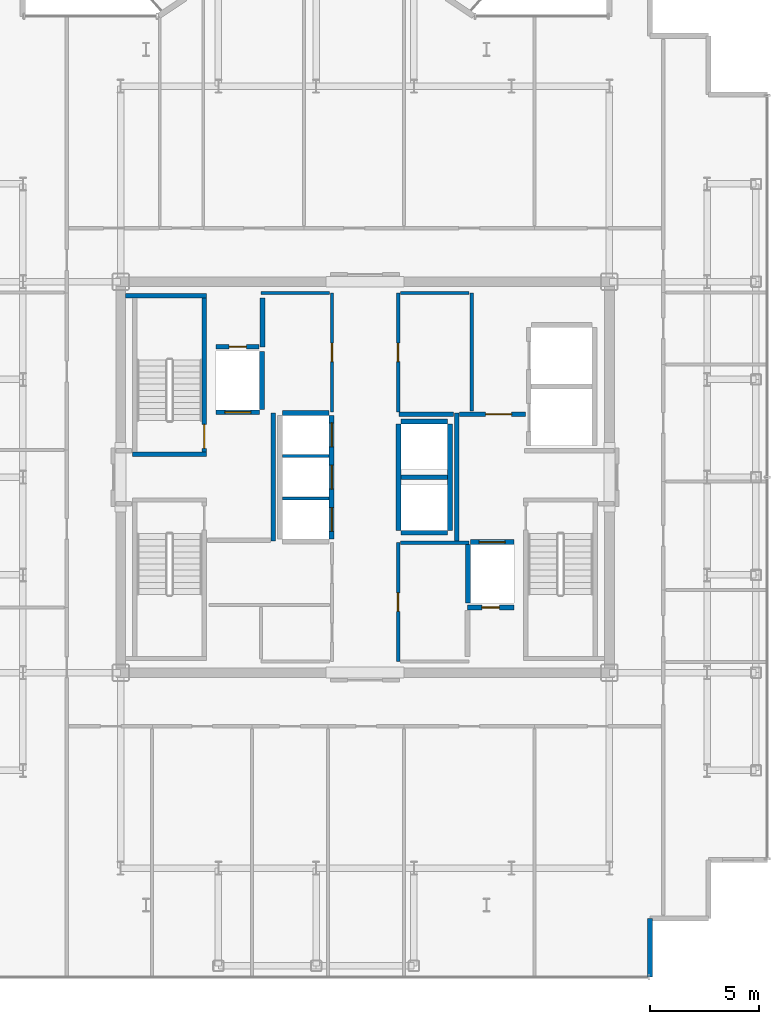
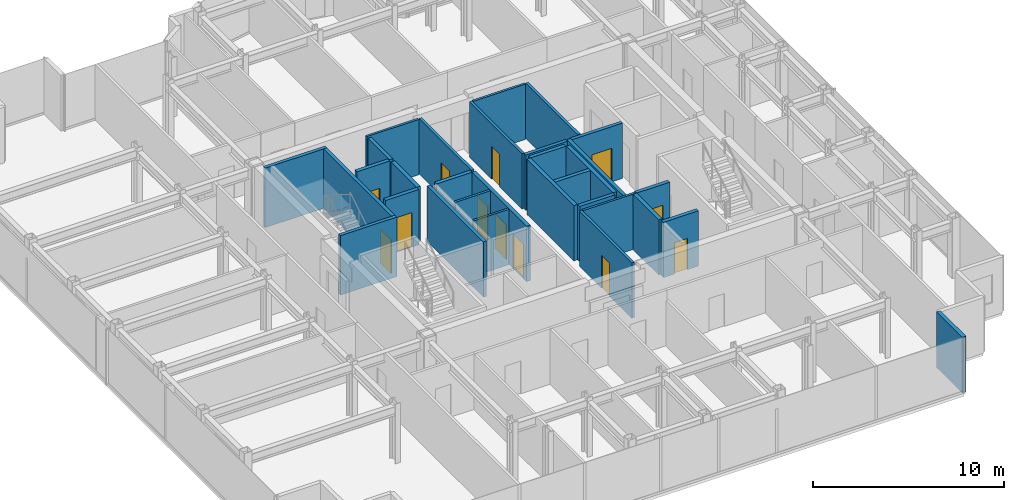
# One storey, part 14 of 18: 31 walls, 12 doors, 12 openings.
"""IFC4 building model written with IfcOpenShell, lengths in metres."""

from ifc_helpers import new_model, si_unit, direction, frame, frame_2d, origin, place, context, subcontext, project, spatial, rectangle, extrude, source, transform, mapped, material, layer, layer_set, type_object, element, fill, save


model = new_model("IFC4")

# Units and contexts
model_context = context("Model", 3, precision=1e-05, world=origin(), true_north=direction((0.0, 1.0)))
body_context = subcontext(model_context, "Body", "Model", "MODEL_VIEW")
ifc_project = project(units=[si_unit("LENGTHUNIT", "METRE"), si_unit("AREAUNIT", "SQUARE_METRE"), si_unit("VOLUMEUNIT", "CUBIC_METRE"), si_unit("PLANEANGLEUNIT", "RADIAN"), si_unit("MASSUNIT", "GRAM", prefix="KILO")], contexts=[model_context])

# Site, building, storey
site_placement = place(None, origin())
site = spatial("IfcSite", under=ifc_project, at=site_placement, CompositionType="ELEMENT")
building_placement = place(site_placement, origin())
building = spatial("IfcBuilding", under=site, at=building_placement, Name="Nefas-Gora Pilgrimage Tower", CompositionType="ELEMENT")
storey_placement = place(building_placement, frame((0.0, 0.0, 291.199951171875)))
storey = spatial("IfcBuildingStorey", under=building, at=storey_placement, Name="L73", CompositionType="ELEMENT", Elevation=291.199951171875)

# Walls
ifc_material_1 = material(Name="Precast concrete C45/55", Category="concrete")
ifc_layer_1 = layer(ifc_material_1, 0.239990234375)
ifc_layer_set_1 = layer_set([ifc_layer_1], Name="Precast concrete C45/55")
wall_type_1 = type_object("IfcWallType", Name="EW-SERR-240", PredefinedType="SHEAR", material=ifc_layer_set_1)
shared_shape_1 = source(origin(), body_context, "Body", "SweptSolid", [
    extrude(rectangle(XDim=2.699951171875, YDim=0.239990234375, at=frame_2d((1.35009765625, 0.0))), origin(), (0.0, 0.0, 1.0), 3.550048828125),
])
wall_1_placement = place(storey_placement, frame((13.1201171875, -23.02001953125, 0.0), z_axis=(0.0, 0.0, 1.0), x_axis=(0.0, 1.0, 0.0)))
element("IfcWall", 1, at=wall_1_placement, inside=storey, type_object=wall_type_1, Name="L73 Serrated Corner Shear Pier Wall 25", PredefinedType="SHEAR", context=body_context, shape_type="MappedRepresentation", body=[
    mapped(shared_shape_1, transform((0.0, 0.0, 0.0), x_axis=(1.0, 0.0, 0.0), y_axis=(0.0, 1.0, 0.0), z_axis=(0.0, 0.0, 1.0), scale=1.0)),
])
ifc_material_2 = material(Name="Concrete C45/55", Category="concrete")
ifc_layer_2 = layer(ifc_material_2, 0.199951171875)
ifc_layer_set_2 = layer_set([ifc_layer_2], Name="Concrete C45/55")
wall_type_2 = type_object("IfcWallType", Name="IW-STAIR-200", PredefinedType="SOLIDWALL", material=ifc_layer_set_2)
shared_shape_2 = source(origin(), body_context, "Body", "SweptSolid", [
    extrude(rectangle(XDim=3.39990234375, YDim=0.199951171875, at=frame_2d((1.699951171875, 0.0))), origin(), (0.0, 0.0, 1.0), 3.800048828125),
])
wall_2_placement = place(storey_placement, frame((-7.300048828125, 1.050048828125, 0.0), z_axis=(0.0, 0.0, 1.0), x_axis=(-1.0, 0.0, 0.0)))
element("IfcWall", 2, at=wall_2_placement, inside=storey, type_object=wall_type_2, Name="L73 Stairwell Shear Wall ST-01-near", PredefinedType="SOLIDWALL", context=body_context, shape_type="MappedRepresentation", body=[
    mapped(shared_shape_2, transform((0.0, 0.0, 0.0), x_axis=(1.0, 0.0, 0.0), y_axis=(0.0, 1.0, 0.0), z_axis=(0.0, 0.0, 1.0), scale=1.0)),
])

# Wall, opening, door
shared_shape_3 = source(origin(), body_context, "Body", "SweptSolid", [
    extrude(rectangle(XDim=7.10009765625, YDim=0.199951171875, at=frame_2d((3.550048828125, 0.0))), origin(), (0.0, 0.0, 1.0), 3.800048828125),
])
wall_3_placement = place(storey_placement, frame((-7.39990234375, 1.14990234375, 0.0), z_axis=(0.0, 0.0, 1.0), x_axis=(0.0, 1.0, 0.0)))
wall_3 = element("IfcWall", 3, at=wall_3_placement, inside=storey, type_object=wall_type_2, Name="L73 Stairwell Shear Wall ST-01-left", PredefinedType="SOLIDWALL", context=body_context, shape_type="MappedRepresentation", body=[
    mapped(shared_shape_3, transform((0.0, 0.0, 0.0), x_axis=(1.0, 0.0, 0.0), y_axis=(0.0, 1.0, 0.0), z_axis=(0.0, 0.0, 1.0), scale=1.0)),
])
opening_1_placement = place(wall_3_placement, frame((0.179931640625, 0.0, 0.0)))
opening_1 = element("IfcOpeningElement", 4, at=opening_1_placement, cuts=wall_3, Name="Opening ID-ST1", PredefinedType="OPENING", context=body_context, shape_type="SweptSolid", body=[
    extrude(rectangle(XDim=1.10009765625, YDim=2.14990234375, at=frame_2d((0.550048828125, 1.074951171875))), frame((0.0, 0.10986328125, 0.0), z_axis=(0.0, -1.0, 0.0), x_axis=(1.0, 0.0, 0.0)), (0.0, 0.0, 1.0), 0.219970703125),
])
ifc_material_3 = material(Name="Painted galvanised steel fire stair door", Category="steel")
door_type_1 = type_object("IfcDoorType", Name="DR-INT-STAIR-1100", OperationType="NOTDEFINED", PredefinedType="DOOR", material=ifc_material_3)
shared_shape_4 = source(origin(), body_context, "Body", "SweptSolid", [
    extrude(rectangle(XDim=1.10009765625, YDim=2.14990234375, at=frame_2d((0.550048828125, 1.074951171875))), frame((0.0, 0.02490234375, 0.0), z_axis=(0.0, -1.0, 0.0), x_axis=(1.0, 0.0, 0.0)), (0.0, 0.0, 1.0), 0.050048828125),
])
door_1_placement = place(opening_1_placement, origin())
door_1 = element("IfcDoor", 5, at=door_1_placement, inside=storey, type_object=door_type_1, Name="L73 Protected Exit Stair Door ST-01", OperationType="SINGLE_SWING_LEFT", OverallHeight=2.14990234375, OverallWidth=1.10009765625, PredefinedType="DOOR", context=body_context, shape_type="MappedRepresentation", body=[
    mapped(shared_shape_4, transform((0.0, 0.0, 0.0), x_axis=(1.0, 0.0, 0.0), y_axis=(0.0, 1.0, 0.0), z_axis=(0.0, 0.0, 1.0), scale=1.0)),
])
fill(opening_1, door_1)

# Wall
shared_shape_5 = source(origin(), body_context, "Body", "SweptSolid", [
    extrude(rectangle(XDim=3.72998046875, YDim=0.199951171875, at=frame_2d((1.864990234375, 0.0))), origin(), (0.0, 0.0, 1.0), 3.800048828125),
])
wall_4_placement = place(storey_placement, frame((-7.300048828125, 8.35009765625, 0.0), z_axis=(0.0, 0.0, 1.0), x_axis=(-1.0, 0.0, 0.0)))
element("IfcWall", 6, at=wall_4_placement, inside=storey, type_object=wall_type_2, Name="L73 Stairwell Shear Wall ST-01-far", PredefinedType="SOLIDWALL", context=body_context, shape_type="MappedRepresentation", body=[
    mapped(shared_shape_5, transform((0.0, 0.0, 0.0), x_axis=(1.0, 0.0, 0.0), y_axis=(0.0, 1.0, 0.0), z_axis=(0.0, 0.0, 1.0), scale=1.0)),
])

# Wall, opening, door
ifc_material_4 = material(Name="Concrete C40/50", Category="concrete")
ifc_layer_3 = layer(ifc_material_4, 0.219970703125)
ifc_layer_set_3 = layer_set([ifc_layer_3], Name="Concrete C40/50")
wall_type_3 = type_object("IfcWallType", Name="IW-SHAFT-220", PredefinedType="SOLIDWALL", material=ifc_layer_set_3)
shared_shape_6 = source(origin(), body_context, "Body", "SweptSolid", [
    extrude(rectangle(XDim=2.0, YDim=0.219970703125, at=frame_2d((1.0, 0.0))), origin(), (0.0, 0.0, 1.0), 3.53515625),
])
wall_5_placement = place(storey_placement, frame((-6.85009765625, 2.989990234375, 0.0), z_axis=(0.0, 0.0, 1.0), x_axis=(1.0, 0.0, 0.0)))
wall_5 = element("IfcWall", 7, at=wall_5_placement, inside=storey, type_object=wall_type_3, Name="L73 Hoistway Wall FFL-01-S", PredefinedType="SOLIDWALL", context=body_context, shape_type="MappedRepresentation", body=[
    mapped(shared_shape_6, transform((0.0, 0.0, 0.0), x_axis=(1.0, 0.0, 0.0), y_axis=(0.0, 1.0, 0.0), z_axis=(0.0, 0.0, 1.0), scale=1.0)),
])
opening_2_placement = place(wall_5_placement, frame((0.39990234375, 0.0, 0.0)))
opening_2 = element("IfcOpeningElement", 8, at=opening_2_placement, cuts=wall_5, Name="Opening LD-FF", PredefinedType="OPENING", context=body_context, shape_type="SweptSolid", body=[
    extrude(rectangle(XDim=1.199951171875, YDim=2.199951171875, at=frame_2d((0.60009765625, 1.10009765625))), frame((0.0, 0.119873046875, 0.0), z_axis=(0.0, -1.0, 0.0), x_axis=(1.0, 0.0, 0.0)), (0.0, 0.0, 1.0), 0.239990234375),
])
ifc_material_5 = material(Name="Fire-service sliding lift landing door")
door_type_2 = type_object("IfcDoorType", Name="DR-LIFT-FSAE-1200", OperationType="SLIDING_TO_LEFT", PredefinedType="DOOR", material=ifc_material_5)
shared_shape_7 = source(origin(), body_context, "Body", "SweptSolid", [
    extrude(rectangle(XDim=1.199951171875, YDim=2.199951171875, at=frame_2d((0.60009765625, 1.10009765625))), frame((0.0, 0.02490234375, 0.0), z_axis=(0.0, -1.0, 0.0), x_axis=(1.0, 0.0, 0.0)), (0.0, 0.0, 1.0), 0.050048828125),
])
door_2_placement = place(opening_2_placement, origin())
door_2 = element("IfcDoor", 9, at=door_2_placement, inside=storey, type_object=door_type_2, Name="L73 Sliding Lift Landing Door FFL-01", OperationType="SLIDING_TO_LEFT", OverallHeight=2.199951171875, OverallWidth=1.199951171875, PredefinedType="DOOR", context=body_context, shape_type="MappedRepresentation", body=[
    mapped(shared_shape_7, transform((0.0, 0.0, 0.0), x_axis=(1.0, 0.0, 0.0), y_axis=(0.0, 1.0, 0.0), z_axis=(0.0, 0.0, 1.0), scale=1.0)),
])
fill(opening_2, door_2)

wall_6_placement = place(storey_placement, frame((6.85009765625, -2.989990234375, 0.0), z_axis=(0.0, 0.0, 1.0), x_axis=(-1.0, 0.0, 0.0)))
wall_6 = element("IfcWall", 10, at=wall_6_placement, inside=storey, type_object=wall_type_3, Name="L73 Hoistway Wall FFL-02-N", PredefinedType="SOLIDWALL", context=body_context, shape_type="MappedRepresentation", body=[
    mapped(shared_shape_6, transform((0.0, 0.0, 0.0), x_axis=(1.0, 0.0, 0.0), y_axis=(0.0, 1.0, 0.0), z_axis=(0.0, 0.0, 1.0), scale=1.0)),
])
opening_3_placement = place(wall_6_placement, frame((0.39990234375, 0.0, 0.0)))
opening_3 = element("IfcOpeningElement", 11, at=opening_3_placement, cuts=wall_6, Name="Opening LD-FF", PredefinedType="OPENING", context=body_context, shape_type="SweptSolid", body=[
    extrude(rectangle(XDim=1.199951171875, YDim=2.199951171875, at=frame_2d((0.60009765625, 1.10009765625))), frame((0.0, 0.119873046875, 0.0), z_axis=(0.0, -1.0, 0.0), x_axis=(1.0, 0.0, 0.0)), (0.0, 0.0, 1.0), 0.239990234375),
])
door_3_placement = place(opening_3_placement, origin())
door_3 = element("IfcDoor", 12, at=door_3_placement, inside=storey, type_object=door_type_2, Name="L73 Sliding Lift Landing Door FFL-02", OperationType="SLIDING_TO_LEFT", OverallHeight=2.199951171875, OverallWidth=1.199951171875, PredefinedType="DOOR", context=body_context, shape_type="MappedRepresentation", body=[
    mapped(shared_shape_7, transform((0.0, 0.0, 0.0), x_axis=(1.0, 0.0, 0.0), y_axis=(0.0, 1.0, 0.0), z_axis=(0.0, 0.0, 1.0), scale=1.0)),
])
fill(opening_3, door_3)

# Walls
shared_shape_8 = source(origin(), body_context, "Body", "SweptSolid", [
    extrude(rectangle(XDim=2.679931640625, YDim=0.219970703125, at=frame_2d((1.33984375, 0.0))), origin(), (0.0, 0.0, 1.0), 3.53515625),
])
for number, where, z_axis, x_axis, name in (
    (13, (-4.739990234375, 3.110107421875, 0.0), (0.0, 0.0, 1.0), (0.0, 1.0, 0.0), "L73 Hoistway Wall FFL-01-E"),
    (14, (4.739990234375, -3.110107421875, 0.0), (0.0, 0.0, 1.0), (0.0, -1.0, 0.0), "L73 Hoistway Wall FFL-02-W"),
):
    element("IfcWall", number, at=place(storey_placement, frame(where, z_axis=z_axis, x_axis=x_axis)), inside=storey, type_object=wall_type_3, Name=name, PredefinedType="SOLIDWALL", context=body_context, shape_type="MappedRepresentation", body=[
        mapped(shared_shape_8, transform((0.0, 0.0, 0.0), x_axis=(1.0, 0.0, 0.0), y_axis=(0.0, 1.0, 0.0), z_axis=(0.0, 0.0, 1.0), scale=1.0)),
    ])

# Wall, openings, doors
shared_shape_9 = source(origin(), body_context, "Body", "SweptSolid", [
    extrude(rectangle(XDim=5.7001953125, YDim=0.219970703125, at=frame_2d((2.85009765625, 0.0))), origin(), (0.0, 0.0, 1.0), 3.53515625),
])
wall_7_placement = place(storey_placement, frame((-1.5400390625, -2.85009765625, 0.0), z_axis=(0.0, 0.0, 1.0), x_axis=(0.0, 1.0, 0.0)))
wall_7 = element("IfcWall", 15, at=wall_7_placement, inside=storey, type_object=wall_type_3, Name="L73 Hoistway Wall PL3-01-03-E", PredefinedType="SOLIDWALL", context=body_context, shape_type="MappedRepresentation", body=[
    mapped(shared_shape_9, transform((0.0, 0.0, 0.0), x_axis=(1.0, 0.0, 0.0), y_axis=(0.0, 1.0, 0.0), z_axis=(0.0, 0.0, 1.0), scale=1.0)),
])
opening_4_placement = place(wall_7_placement, frame((0.35009765625, 0.0, 0.0)))
opening_4 = element("IfcOpeningElement", 16, at=opening_4_placement, cuts=wall_7, Name="Opening LD-01", PredefinedType="OPENING", context=body_context, shape_type="SweptSolid", body=[
    extrude(rectangle(XDim=1.10009765625, YDim=2.199951171875, at=frame_2d((0.550048828125, 1.10009765625))), frame((0.0, 0.119873046875, 0.0), z_axis=(0.0, -1.0, 0.0), x_axis=(1.0, 0.0, 0.0)), (0.0, 0.0, 1.0), 0.239990234375),
])
opening_5_placement = place(wall_7_placement, frame((2.300048828125, 0.0, 0.0)))
opening_5 = element("IfcOpeningElement", 17, at=opening_5_placement, cuts=wall_7, Name="Opening LD-01", PredefinedType="OPENING", context=body_context, shape_type="SweptSolid", body=[
    extrude(rectangle(XDim=1.10009765625, YDim=2.199951171875, at=frame_2d((0.550048828125, 1.10009765625))), frame((0.0, 0.119873046875, 0.0), z_axis=(0.0, -1.0, 0.0), x_axis=(1.0, 0.0, 0.0)), (0.0, 0.0, 1.0), 0.239990234375),
])
opening_6_placement = place(wall_7_placement, frame((4.25, 0.0, 0.0)))
opening_6 = element("IfcOpeningElement", 18, at=opening_6_placement, cuts=wall_7, Name="Opening LD-01", PredefinedType="OPENING", context=body_context, shape_type="SweptSolid", body=[
    extrude(rectangle(XDim=1.10009765625, YDim=2.199951171875, at=frame_2d((0.550048828125, 1.10009765625))), frame((0.0, 0.119873046875, 0.0), z_axis=(0.0, -1.0, 0.0), x_axis=(1.0, 0.0, 0.0)), (0.0, 0.0, 1.0), 0.239990234375),
])
ifc_material_6 = material(Name="Brushed stainless sliding lift landing door")
door_type_3 = type_object("IfcDoorType", Name="DR-LIFT-PASS-1100", OperationType="DOUBLE_DOOR_SLIDING", PredefinedType="DOOR", material=ifc_material_6)
shared_shape_10 = source(origin(), body_context, "Body", "SweptSolid", [
    extrude(rectangle(XDim=1.10009765625, YDim=2.199951171875, at=frame_2d((0.550048828125, 1.10009765625))), frame((0.0, 0.02490234375, 0.0), z_axis=(0.0, -1.0, 0.0), x_axis=(1.0, 0.0, 0.0)), (0.0, 0.0, 1.0), 0.050048828125),
])
door_4_placement = place(opening_4_placement, origin())
door_4 = element("IfcDoor", 19, at=door_4_placement, inside=storey, type_object=door_type_3, Name="L73 Sliding Lift Landing Door PL3-01", OperationType="DOUBLE_DOOR_SLIDING", OverallHeight=2.199951171875, OverallWidth=1.10009765625, PredefinedType="DOOR", context=body_context, shape_type="MappedRepresentation", body=[
    mapped(shared_shape_10, transform((0.0, 0.0, 0.0), x_axis=(1.0, 0.0, 0.0), y_axis=(0.0, 1.0, 0.0), z_axis=(0.0, 0.0, 1.0), scale=1.0)),
])
fill(opening_4, door_4)
door_5_placement = place(opening_5_placement, origin())
door_5 = element("IfcDoor", 20, at=door_5_placement, inside=storey, type_object=door_type_3, Name="L73 Sliding Lift Landing Door PL3-02", OperationType="DOUBLE_DOOR_SLIDING", OverallHeight=2.199951171875, OverallWidth=1.10009765625, PredefinedType="DOOR", context=body_context, shape_type="MappedRepresentation", body=[
    mapped(shared_shape_10, transform((0.0, 0.0, 0.0), x_axis=(1.0, 0.0, 0.0), y_axis=(0.0, 1.0, 0.0), z_axis=(0.0, 0.0, 1.0), scale=1.0)),
])
fill(opening_5, door_5)
door_6_placement = place(opening_6_placement, origin())
door_6 = element("IfcDoor", 21, at=door_6_placement, inside=storey, type_object=door_type_3, Name="L73 Sliding Lift Landing Door PL3-03", OperationType="DOUBLE_DOOR_SLIDING", OverallHeight=2.199951171875, OverallWidth=1.10009765625, PredefinedType="DOOR", context=body_context, shape_type="MappedRepresentation", body=[
    mapped(shared_shape_10, transform((0.0, 0.0, 0.0), x_axis=(1.0, 0.0, 0.0), y_axis=(0.0, 1.0, 0.0), z_axis=(0.0, 0.0, 1.0), scale=1.0)),
])
fill(opening_6, door_6)

# Walls
shared_shape_11 = source(origin(), body_context, "Body", "SweptSolid", [
    extrude(rectangle(XDim=2.130126953125, YDim=0.219970703125, at=frame_2d((1.06494140625, 0.0))), origin(), (0.0, 0.0, 1.0), 3.53515625),
])
for number, where, z_axis, x_axis, name in (
    (22, (-1.659912109375, 2.9599609375, 0.0), (0.0, 0.0, 1.0), (-1.0, 0.0, 0.0), "L73 Hoistway Wall PL3-03-N"),
    (23, (1.659912109375, -2.56005859375, 0.0), (0.0, 0.0, 1.0), (1.0, 0.0, 0.0), "L73 Hoistway Wall OBS-01-S"),
    (24, (1.659912109375, 0.0, 0.0), (0.0, 0.0, 1.0), (1.0, 0.0, 0.0), "L73 Hoistway Wall OBS-01-02-DIV"),
    (25, (3.7900390625, 2.56005859375, 0.0), (0.0, 0.0, 1.0), (-1.0, 0.0, 0.0), "L73 Hoistway Wall OBS-02-N"),
):
    element("IfcWall", number, at=place(storey_placement, frame(where, z_axis=z_axis, x_axis=x_axis)), inside=storey, type_object=wall_type_3, Name=name, PredefinedType="SOLIDWALL", context=body_context, shape_type="MappedRepresentation", body=[
        mapped(shared_shape_11, transform((0.0, 0.0, 0.0), x_axis=(1.0, 0.0, 0.0), y_axis=(0.0, 1.0, 0.0), z_axis=(0.0, 0.0, 1.0), scale=1.0)),
    ])

# Wall, opening, door
wall_8_placement = place(storey_placement, frame((4.719970703125, -6.0, 0.0), z_axis=(0.0, 0.0, 1.0), x_axis=(1.0, 0.0, 0.0)))
wall_8 = element("IfcWall", 26, at=wall_8_placement, inside=storey, type_object=wall_type_3, Name="L73 Riser Shaft Wall 3", PredefinedType="SOLIDWALL", context=body_context, shape_type="MappedRepresentation", body=[
    mapped(shared_shape_11, transform((0.0, 0.0, 0.0), x_axis=(1.0, 0.0, 0.0), y_axis=(0.0, 1.0, 0.0), z_axis=(0.0, 0.0, 1.0), scale=1.0)),
])
opening_7_placement = place(wall_8_placement, frame((0.6650390625, 0.0, 0.0)))
opening_7 = element("IfcOpeningElement", 27, at=opening_7_placement, cuts=wall_8, Name="Opening ID-TR1", PredefinedType="OPENING", context=body_context, shape_type="SweptSolid", body=[
    extrude(rectangle(XDim=0.800048828125, YDim=2.0, at=frame_2d((0.39990234375, 1.0))), frame((0.0, 0.119873046875, 0.0), z_axis=(0.0, -1.0, 0.0), x_axis=(1.0, 0.0, 0.0)), (0.0, 0.0, 1.0), 0.239990234375),
])
ifc_material_7 = material(Name="Riser maintenance fire access door")
door_type_4 = type_object("IfcDoorType", Name="DR-INT-TRAP-800", OperationType="NOTDEFINED", PredefinedType="TRAPDOOR", material=ifc_material_7)
shared_shape_12 = source(origin(), body_context, "Body", "SweptSolid", [
    extrude(rectangle(XDim=0.800048828125, YDim=2.0, at=frame_2d((0.39990234375, 1.0))), frame((0.0, 0.02490234375, 0.0), z_axis=(0.0, -1.0, 0.0), x_axis=(1.0, 0.0, 0.0)), (0.0, 0.0, 1.0), 0.050048828125),
])
door_7_placement = place(opening_7_placement, origin())
door_7 = element("IfcDoor", 28, at=door_7_placement, inside=storey, type_object=door_type_4, Name="L73 Riser Shaft Door 2", OperationType="SINGLE_SWING_RIGHT", OverallHeight=2.0, OverallWidth=0.800048828125, PredefinedType="TRAPDOOR", context=body_context, shape_type="MappedRepresentation", body=[
    mapped(shared_shape_12, transform((0.0, 0.0, 0.0), x_axis=(1.0, 0.0, 0.0), y_axis=(0.0, 1.0, 0.0), z_axis=(0.0, 0.0, 1.0), scale=1.0)),
])
fill(opening_7, door_7)

# Walls
ifc_material_8 = material(Name="Gypsum twin-stud partition")
ifc_layer_4 = layer(ifc_material_8, 0.139892578125)
ifc_layer_set_4 = layer_set([ifc_layer_4], Name="Gypsum twin-stud partition")
wall_type_4 = type_object("IfcWallType", Name="IW-UNIT-140", PredefinedType="PARTITIONING", material=ifc_layer_set_4)
shared_shape_13 = source(origin(), body_context, "Body", "SweptSolid", [
    extrude(rectangle(XDim=2.130126953125, YDim=0.139892578125, at=frame_2d((1.06494140625, 0.0))), origin(), (0.0, 0.0, 1.0), 3.53515625),
])
for number, where, z_axis, x_axis, name in (
    (29, (-3.7900390625, -0.97509765625, 0.0), (0.0, 0.0, 1.0), (1.0, 0.0, 0.0), "L73 Hoistway Wall PL3-01-02-DIV"),
    (30, (-3.7900390625, 0.97509765625, 0.0), (0.0, 0.0, 1.0), (1.0, 0.0, 0.0), "L73 Hoistway Wall PL3-02-03-DIV"),
):
    element("IfcWall", number, at=place(storey_placement, frame(where, z_axis=z_axis, x_axis=x_axis)), inside=storey, type_object=wall_type_4, Name=name, PredefinedType="PARTITIONING", context=body_context, shape_type="MappedRepresentation", body=[
        mapped(shared_shape_13, transform((0.0, 0.0, 0.0), x_axis=(1.0, 0.0, 0.0), y_axis=(0.0, 1.0, 0.0), z_axis=(0.0, 0.0, 1.0), scale=1.0)),
    ])
shared_shape_14 = source(origin(), body_context, "Body", "SweptSolid", [
    extrude(rectangle(XDim=4.89990234375, YDim=0.219970703125, at=frame_2d((2.449951171875, 0.0))), origin(), (0.0, 0.0, 1.0), 3.53515625),
])
for number, where, z_axis, x_axis, name in (
    (31, (1.5400390625, 2.449951171875, 0.0), (0.0, 0.0, 1.0), (0.0, -1.0, 0.0), "L73 Hoistway Wall OBS-01-02-W"),
    (32, (3.909912109375, -2.449951171875, 0.0), (0.0, 0.0, 1.0), (0.0, 1.0, 0.0), "L73 Hoistway Wall OBS-01-02-E"),
):
    element("IfcWall", number, at=place(storey_placement, frame(where, z_axis=z_axis, x_axis=x_axis)), inside=storey, type_object=wall_type_3, Name=name, PredefinedType="SOLIDWALL", context=body_context, shape_type="MappedRepresentation", body=[
        mapped(shared_shape_14, transform((0.0, 0.0, 0.0), x_axis=(1.0, 0.0, 0.0), y_axis=(0.0, 1.0, 0.0), z_axis=(0.0, 0.0, 1.0), scale=1.0)),
    ])
ifc_material_9 = material(Name="Gypsum fire-rated shaftwall")
ifc_layer_5 = layer(ifc_material_9, 0.199951171875)
ifc_layer_set_5 = layer_set([ifc_layer_5], Name="Gypsum fire-rated shaftwall")
wall_type_5 = type_object("IfcWallType", Name="IW-FFLOB-200", PredefinedType="PARTITIONING", material=ifc_layer_set_5)
shared_shape_15 = source(origin(), body_context, "Body", "SweptSolid", [
    extrude(rectangle(XDim=5.89990234375, YDim=0.199951171875, at=frame_2d((2.949951171875, 0.0))), origin(), (0.0, 0.0, 1.0), 3.53515625),
])
for number, where, z_axis, x_axis, name in (
    (33, (-4.219970703125, -2.949951171875, 0.0), (0.0, 0.0, 1.0), (0.0, 1.0, 0.0), "L73 FF Lobby West Inner Wall Wall 6"),
    (34, (4.219970703125, -2.949951171875, 0.0), (0.0, 0.0, 1.0), (0.0, 1.0, 0.0), "L73 FF Lobby East Inner Wall Wall 11"),
):
    element("IfcWall", number, at=place(storey_placement, frame(where, z_axis=z_axis, x_axis=x_axis)), inside=storey, type_object=wall_type_5, Name=name, PredefinedType="PARTITIONING", context=body_context, shape_type="MappedRepresentation", body=[
        mapped(shared_shape_15, transform((0.0, 0.0, 0.0), x_axis=(1.0, 0.0, 0.0), y_axis=(0.0, 1.0, 0.0), z_axis=(0.0, 0.0, 1.0), scale=1.0)),
    ])

# Wall, opening, door
shared_shape_16 = source(origin(), body_context, "Body", "SweptSolid", [
    extrude(rectangle(XDim=3.039794921875, YDim=0.199951171875, at=frame_2d((1.52001953125, 0.0))), origin(), (0.0, 0.0, 1.0), 3.53515625),
])
wall_9_placement = place(storey_placement, frame((4.360107421875, 2.89990234375, 0.0), z_axis=(0.0, 0.0, 1.0), x_axis=(1.0, 0.0, 0.0)))
wall_9 = element("IfcWall", 35, at=wall_9_placement, inside=storey, type_object=wall_type_5, Name="L73 FF Lobby East North Wall Wall 13", PredefinedType="PARTITIONING", context=body_context, shape_type="MappedRepresentation", body=[
    mapped(shared_shape_16, transform((0.0, 0.0, 0.0), x_axis=(1.0, 0.0, 0.0), y_axis=(0.0, 1.0, 0.0), z_axis=(0.0, 0.0, 1.0), scale=1.0)),
])
opening_8_placement = place(wall_9_placement, frame((1.18994140625, 0.0, 0.0)))
opening_8 = element("IfcOpeningElement", 36, at=opening_8_placement, cuts=wall_9, Name="Opening ID-PL1", PredefinedType="OPENING", context=body_context, shape_type="SweptSolid", body=[
    extrude(rectangle(XDim=1.199951171875, YDim=2.14990234375, at=frame_2d((0.60009765625, 1.074951171875))), frame((0.0, 0.10986328125, 0.0), z_axis=(0.0, -1.0, 0.0), x_axis=(1.0, 0.0, 0.0)), (0.0, 0.0, 1.0), 0.219970703125),
])
ifc_material_10 = material(Name="Heavy-duty steel plant room fire door", Category="steel")
door_type_5 = type_object("IfcDoorType", Name="DR-INT-PLANT-1200", OperationType="NOTDEFINED", PredefinedType="DOOR", material=ifc_material_10)
shared_shape_17 = source(origin(), body_context, "Body", "SweptSolid", [
    extrude(rectangle(XDim=1.199951171875, YDim=2.14990234375, at=frame_2d((0.60009765625, 1.074951171875))), frame((0.0, 0.02490234375, 0.0), z_axis=(0.0, -1.0, 0.0), x_axis=(1.0, 0.0, 0.0)), (0.0, 0.0, 1.0), 0.050048828125),
])
door_8_placement = place(opening_8_placement, origin())
door_8 = element("IfcDoor", 37, at=door_8_placement, inside=storey, type_object=door_type_5, Name="L73 Service Lift Lobby Door Door 5", OperationType="SINGLE_SWING_LEFT", OverallHeight=2.14990234375, OverallWidth=1.199951171875, PredefinedType="DOOR", context=body_context, shape_type="MappedRepresentation", body=[
    mapped(shared_shape_17, transform((0.0, 0.0, 0.0), x_axis=(1.0, 0.0, 0.0), y_axis=(0.0, 1.0, 0.0), z_axis=(0.0, 0.0, 1.0), scale=1.0)),
])
fill(opening_8, door_8)

# Walls
shared_shape_18 = source(origin(), body_context, "Body", "SweptSolid", [
    extrude(rectangle(XDim=3.150146484375, YDim=0.139892578125, at=frame_2d((1.5751953125, 0.0))), origin(), (0.0, 0.0, 1.0), 3.53515625),
])
for number, where, z_axis, x_axis, name in (
    (38, (-4.7900390625, 8.47998046875, 0.0), (0.0, 0.0, 1.0), (1.0, 0.0, 0.0), "L73 Housekeeping and Linen Store Partition Wall 20"),
    (39, (1.639892578125, 8.47998046875, 0.0), (0.0, 0.0, 1.0), (1.0, 0.0, 0.0), "L73 Freed Bank-1 Amenity Supply Store Partition Wall 24"),
    (40, (1.639892578125, -3.02001953125, 0.0), (0.0, 0.0, 1.0), (1.0, 0.0, 0.0), "L73 Freed Bank-2 East Linen Store Partition Wall 28"),
):
    element("IfcWall", number, at=place(storey_placement, frame(where, z_axis=z_axis, x_axis=x_axis)), inside=storey, type_object=wall_type_4, Name=name, PredefinedType="PARTITIONING", context=body_context, shape_type="MappedRepresentation", body=[
        mapped(shared_shape_18, transform((0.0, 0.0, 0.0), x_axis=(1.0, 0.0, 0.0), y_axis=(0.0, 1.0, 0.0), z_axis=(0.0, 0.0, 1.0), scale=1.0)),
    ])
shared_shape_19 = source(origin(), body_context, "Body", "SweptSolid", [
    extrude(rectangle(XDim=2.25, YDim=0.219970703125, at=frame_2d((1.125, 0.0))), origin(), (0.0, 0.0, 1.0), 3.53515625),
])
wall_10_placement = place(storey_placement, frame((-4.719970703125, 6.0, 0.0), z_axis=(0.0, 0.0, 1.0), x_axis=(0.0, 1.0, 0.0)))
element("IfcWall", 41, at=wall_10_placement, inside=storey, type_object=wall_type_3, Name="L73 Riser Shaft Wall 1", PredefinedType="SOLIDWALL", context=body_context, shape_type="MappedRepresentation", body=[
    mapped(shared_shape_19, transform((0.0, 0.0, 0.0), x_axis=(1.0, 0.0, 0.0), y_axis=(0.0, 1.0, 0.0), z_axis=(0.0, 0.0, 1.0), scale=1.0)),
])

# Wall, opening, door
shared_shape_20 = source(origin(), body_context, "Body", "SweptSolid", [
    extrude(rectangle(XDim=1.97998046875, YDim=0.219970703125, at=frame_2d((0.989990234375, 0.0))), origin(), (0.0, 0.0, 1.0), 3.53515625),
])
wall_11_placement = place(storey_placement, frame((-6.85009765625, 6.0, 0.0), z_axis=(0.0, 0.0, 1.0), x_axis=(1.0, 0.0, 0.0)))
wall_11 = element("IfcWall", 42, at=wall_11_placement, inside=storey, type_object=wall_type_3, Name="L73 Riser Shaft Wall 2", PredefinedType="SOLIDWALL", context=body_context, shape_type="MappedRepresentation", body=[
    mapped(shared_shape_20, transform((0.0, 0.0, 0.0), x_axis=(1.0, 0.0, 0.0), y_axis=(0.0, 1.0, 0.0), z_axis=(0.0, 0.0, 1.0), scale=1.0)),
])
opening_9_placement = place(wall_11_placement, frame((0.590087890625, 0.0, 0.0)))
opening_9 = element("IfcOpeningElement", 43, at=opening_9_placement, cuts=wall_11, Name="Opening ID-TR1", PredefinedType="OPENING", context=body_context, shape_type="SweptSolid", body=[
    extrude(rectangle(XDim=0.800048828125, YDim=2.0, at=frame_2d((0.39990234375, 1.0))), frame((0.0, 0.119873046875, 0.0), z_axis=(0.0, -1.0, 0.0), x_axis=(1.0, 0.0, 0.0)), (0.0, 0.0, 1.0), 0.239990234375),
])
door_9_placement = place(opening_9_placement, origin())
door_9 = element("IfcDoor", 44, at=door_9_placement, inside=storey, type_object=door_type_4, Name="L73 Riser Shaft Door 1", OperationType="SINGLE_SWING_LEFT", OverallHeight=2.0, OverallWidth=0.800048828125, PredefinedType="TRAPDOOR", context=body_context, shape_type="MappedRepresentation", body=[
    mapped(shared_shape_12, transform((0.0, 0.0, 0.0), x_axis=(1.0, 0.0, 0.0), y_axis=(0.0, 1.0, 0.0), z_axis=(0.0, 0.0, 1.0), scale=1.0)),
])
fill(opening_9, door_9)

# Walls
shared_shape_21 = source(origin(), body_context, "Body", "SweptSolid", [
    extrude(rectangle(XDim=2.52001953125, YDim=0.199951171875, at=frame_2d((1.260009765625, 0.0))), origin(), (0.0, 0.0, 1.0), 3.53515625),
])
wall_12_placement = place(storey_placement, frame((1.56005859375, 2.89990234375, 0.0), z_axis=(0.0, 0.0, 1.0), x_axis=(1.0, 0.0, 0.0)))
element("IfcWall", 45, at=wall_12_placement, inside=storey, type_object=wall_type_5, Name="L73 FF Lobby East North Wall Wall 12", PredefinedType="PARTITIONING", context=body_context, shape_type="MappedRepresentation", body=[
    mapped(shared_shape_21, transform((0.0, 0.0, 0.0), x_axis=(1.0, 0.0, 0.0), y_axis=(0.0, 1.0, 0.0), z_axis=(0.0, 0.0, 1.0), scale=1.0)),
])
ifc_material_11 = material(Name="Gypsum acoustic stud partition")
ifc_layer_6 = layer(ifc_material_11, 0.159912109375)
ifc_layer_set_6 = layer_set([ifc_layer_6], Name="Gypsum acoustic stud partition")
wall_type_6 = type_object("IfcWallType", Name="IW-CORR-160", PredefinedType="PARTITIONING", material=ifc_layer_set_6)
shared_shape_22 = source(origin(), body_context, "Body", "SweptSolid", [
    extrude(rectangle(XDim=5.449951171875, YDim=0.159912109375, at=frame_2d((2.72509765625, 0.0))), origin(), (0.0, 0.0, 1.0), 3.53515625),
])
wall_13_placement = place(storey_placement, frame((4.919921875, 3.0400390625, 0.0), z_axis=(0.0, 0.0, 1.0), x_axis=(0.0, 1.0, 0.0)))
element("IfcWall", 46, at=wall_13_placement, inside=storey, type_object=wall_type_6, Name="L73 Service Lift Lobby West Wall Wall 18", PredefinedType="PARTITIONING", context=body_context, shape_type="MappedRepresentation", body=[
    mapped(shared_shape_22, transform((0.0, 0.0, 0.0), x_axis=(1.0, 0.0, 0.0), y_axis=(0.0, 1.0, 0.0), z_axis=(0.0, 0.0, 1.0), scale=1.0)),
])

# Wall, opening, door
shared_shape_23 = source(origin(), body_context, "Body", "SweptSolid", [
    extrude(rectangle(XDim=5.47998046875, YDim=0.159912109375, at=frame_2d((2.739990234375, 0.0))), origin(), (0.0, 0.0, 1.0), 3.53515625),
])
wall_14_placement = place(storey_placement, frame((-1.52001953125, 3.010009765625, 0.0), z_axis=(0.0, 0.0, 1.0), x_axis=(0.0, 1.0, 0.0)))
wall_14 = element("IfcWall", 47, at=wall_14_placement, inside=storey, type_object=wall_type_6, Name="L73 Housekeeping and Linen Store Wall 19", PredefinedType="PARTITIONING", context=body_context, shape_type="MappedRepresentation", body=[
    mapped(shared_shape_23, transform((0.0, 0.0, 0.0), x_axis=(1.0, 0.0, 0.0), y_axis=(0.0, 1.0, 0.0), z_axis=(0.0, 0.0, 1.0), scale=1.0)),
])
opening_10_placement = place(wall_14_placement, frame((2.31494140625, 0.0, 0.0)))
opening_10 = element("IfcOpeningElement", 48, at=opening_10_placement, cuts=wall_14, Name="Opening ID-BT1", PredefinedType="OPENING", context=body_context, shape_type="SweptSolid", body=[
    extrude(rectangle(XDim=0.85009765625, YDim=2.10009765625, at=frame_2d((0.425048828125, 1.050048828125))), frame((0.0, 0.08984375, 0.0), z_axis=(0.0, -1.0, 0.0), x_axis=(1.0, 0.0, 0.0)), (0.0, 0.0, 1.0), 0.179931640625),
])
ifc_material_12 = material(Name="Moisture-resistant fire-rated timber door", Category="wood")
door_type_6 = type_object("IfcDoorType", Name="DR-INT-BATH-850", OperationType="NOTDEFINED", PredefinedType="DOOR", material=ifc_material_12)
shared_shape_24 = source(origin(), body_context, "Body", "SweptSolid", [
    extrude(rectangle(XDim=0.85009765625, YDim=2.10009765625, at=frame_2d((0.425048828125, 1.050048828125))), frame((0.0, 0.02490234375, 0.0), z_axis=(0.0, -1.0, 0.0), x_axis=(1.0, 0.0, 0.0)), (0.0, 0.0, 1.0), 0.050048828125),
])
door_10_placement = place(opening_10_placement, origin())
door_10 = element("IfcDoor", 49, at=door_10_placement, inside=storey, type_object=door_type_6, Name="L73 Housekeeping and Linen Store Door 8", OperationType="SINGLE_SWING_RIGHT", OverallHeight=2.10009765625, OverallWidth=0.85009765625, PredefinedType="DOOR", context=body_context, shape_type="MappedRepresentation", body=[
    mapped(shared_shape_24, transform((0.0, 0.0, 0.0), x_axis=(1.0, 0.0, 0.0), y_axis=(0.0, 1.0, 0.0), z_axis=(0.0, 0.0, 1.0), scale=1.0)),
])
fill(opening_10, door_10)

wall_15_placement = place(storey_placement, frame((1.52001953125, 3.010009765625, 0.0), z_axis=(0.0, 0.0, 1.0), x_axis=(0.0, 1.0, 0.0)))
wall_15 = element("IfcWall", 50, at=wall_15_placement, inside=storey, type_object=wall_type_6, Name="L73 Freed Bank-1 Amenity Supply Store Wall 23", PredefinedType="PARTITIONING", context=body_context, shape_type="MappedRepresentation", body=[
    mapped(shared_shape_23, transform((0.0, 0.0, 0.0), x_axis=(1.0, 0.0, 0.0), y_axis=(0.0, 1.0, 0.0), z_axis=(0.0, 0.0, 1.0), scale=1.0)),
])
opening_11_placement = place(wall_15_placement, frame((2.31494140625, 0.0, 0.0)))
opening_11 = element("IfcOpeningElement", 51, at=opening_11_placement, cuts=wall_15, Name="Opening ID-BT1", PredefinedType="OPENING", context=body_context, shape_type="SweptSolid", body=[
    extrude(rectangle(XDim=0.85009765625, YDim=2.10009765625, at=frame_2d((0.425048828125, 1.050048828125))), frame((0.0, 0.08984375, 0.0), z_axis=(0.0, -1.0, 0.0), x_axis=(1.0, 0.0, 0.0)), (0.0, 0.0, 1.0), 0.179931640625),
])
door_11_placement = place(opening_11_placement, origin())
door_11 = element("IfcDoor", 52, at=door_11_placement, inside=storey, type_object=door_type_6, Name="L73 Freed Bank-1 Amenity Supply Store Door 11", OperationType="SINGLE_SWING_LEFT", OverallHeight=2.10009765625, OverallWidth=0.85009765625, PredefinedType="DOOR", context=body_context, shape_type="MappedRepresentation", body=[
    mapped(shared_shape_24, transform((0.0, 0.0, 0.0), x_axis=(1.0, 0.0, 0.0), y_axis=(0.0, 1.0, 0.0), z_axis=(0.0, 0.0, 1.0), scale=1.0)),
])
fill(opening_11, door_11)

wall_16_placement = place(storey_placement, frame((1.52001953125, -8.489990234375, 0.0), z_axis=(0.0, 0.0, 1.0), x_axis=(0.0, 1.0, 0.0)))
wall_16 = element("IfcWall", 53, at=wall_16_placement, inside=storey, type_object=wall_type_6, Name="L73 Freed Bank-2 East Linen Store Wall 27", PredefinedType="PARTITIONING", context=body_context, shape_type="MappedRepresentation", body=[
    mapped(shared_shape_23, transform((0.0, 0.0, 0.0), x_axis=(1.0, 0.0, 0.0), y_axis=(0.0, 1.0, 0.0), z_axis=(0.0, 0.0, 1.0), scale=1.0)),
])
opening_12_placement = place(wall_16_placement, frame((2.31494140625, 0.0, 0.0)))
opening_12 = element("IfcOpeningElement", 54, at=opening_12_placement, cuts=wall_16, Name="Opening ID-BT1", PredefinedType="OPENING", context=body_context, shape_type="SweptSolid", body=[
    extrude(rectangle(XDim=0.85009765625, YDim=2.10009765625, at=frame_2d((0.425048828125, 1.050048828125))), frame((0.0, 0.08984375, 0.0), z_axis=(0.0, -1.0, 0.0), x_axis=(1.0, 0.0, 0.0)), (0.0, 0.0, 1.0), 0.179931640625),
])
door_12_placement = place(opening_12_placement, origin())
door_12 = element("IfcDoor", 55, at=door_12_placement, inside=storey, type_object=door_type_6, Name="L73 Freed Bank-2 East Linen Store Door 12", OperationType="SINGLE_SWING_RIGHT", OverallHeight=2.10009765625, OverallWidth=0.85009765625, PredefinedType="DOOR", context=body_context, shape_type="MappedRepresentation", body=[
    mapped(shared_shape_24, transform((0.0, 0.0, 0.0), x_axis=(1.0, 0.0, 0.0), y_axis=(0.0, 1.0, 0.0), z_axis=(0.0, 0.0, 1.0), scale=1.0)),
])
fill(opening_12, door_12)

save(model, "model.ifc")
